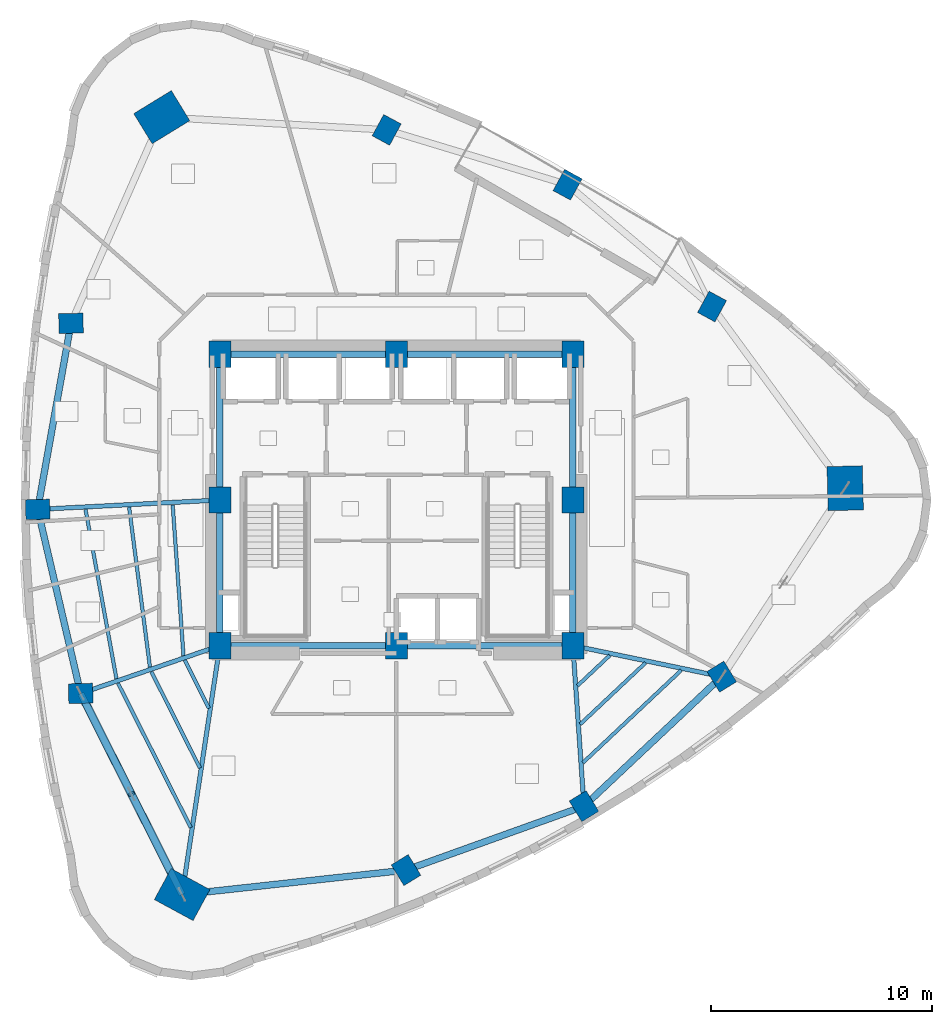
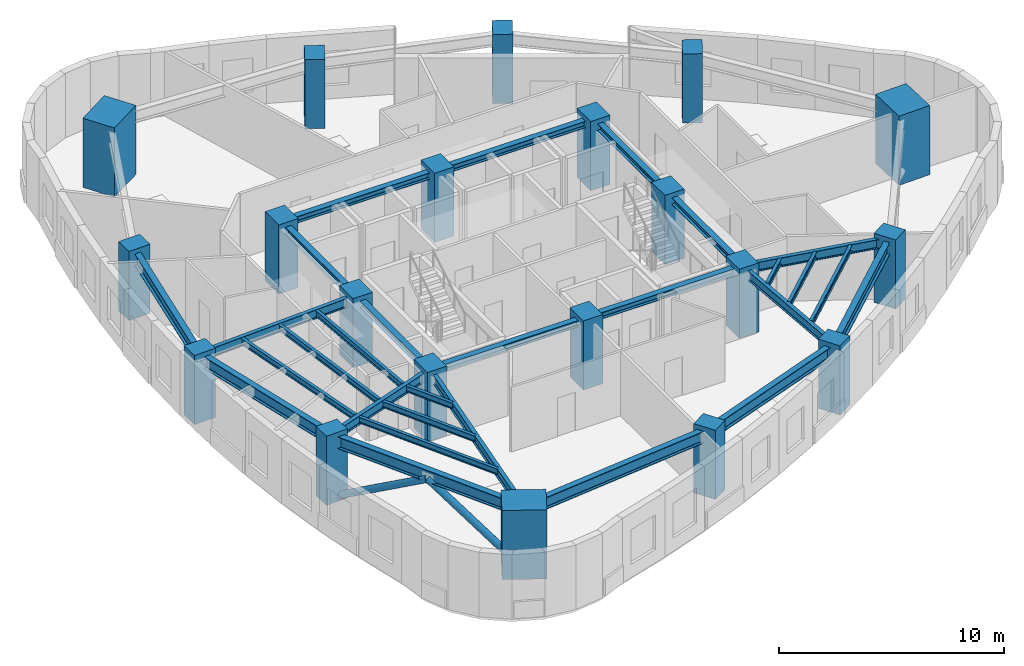
# One storey, part 1 of 14: 28 beams, 20 columns, 2 members.
"""IFC4 building model written with IfcOpenShell, lengths in metres."""

from ifc_helpers import new_model, si_unit, direction, frame, origin, origin_2d, place, context, subcontext, project, spatial, rectangle, hollow_circle, i_section, extrude, material, material_profile, profile_set, type_object, element, save


model = new_model("IFC4")

# Units and contexts
model_context = context("Model", 3, precision=1e-05, world=origin(), true_north=direction((0.0, 1.0)))
body_context = subcontext(model_context, "Body", "Model", "MODEL_VIEW")
ifc_project = project(units=[si_unit("LENGTHUNIT", "METRE"), si_unit("AREAUNIT", "SQUARE_METRE"), si_unit("VOLUMEUNIT", "CUBIC_METRE"), si_unit("PLANEANGLEUNIT", "RADIAN"), si_unit("MASSUNIT", "GRAM", prefix="KILO")], contexts=[model_context])

# Site, building, storey
site_placement = place(None, origin())
site = spatial("IfcSite", under=ifc_project, at=site_placement, CompositionType="ELEMENT")
building_placement = place(site_placement, origin())
building = spatial("IfcBuilding", under=site, at=building_placement, Name="Ndelora Gate Hotel", CompositionType="ELEMENT")
storey_placement = place(building_placement, frame((0.0, 0.0, 127.25)))
storey = spatial("IfcBuildingStorey", under=building, at=storey_placement, Name="L31", CompositionType="ELEMENT", Elevation=127.25)

# Columns
ifc_material_1 = material(Name="Concrete C60/75", Category="concrete")
ifc_material_profile_1 = material_profile(ifc_material_1, rectangle(XDim=1.0, YDim=1.199951171875, at=origin_2d()), Name="RC 1200x1000")
ifc_profile_set_1 = profile_set([ifc_material_profile_1], Name="Concrete C60/75")
column_type_1 = type_object("IfcColumnType", Name="COL-CC-MID", PredefinedType="COLUMN", material=ifc_profile_set_1)
for number, where, z_axis, x_axis, name in (
    (1, (-8.0, -6.60009765625, 0.0), (0.0, 0.0, 1.0), (1.0, 0.0, 0.0), "L31 Core Column CC1"),
    (2, (0.0, -6.60009765625, 0.0), (0.0, 0.0, 1.0), (1.0, 0.0, 0.0), "L31 Core Column CC2"),
    (3, (8.0, -6.60009765625, 0.0), (0.0, 0.0, 1.0), (1.0, 0.0, 0.0), "L31 Core Column CC3"),
    (4, (8.0, 0.0, 0.0), (0.0, 0.0, 1.0), (1.0, 0.0, 0.0), "L31 Core Column CC4"),
    (5, (8.0, 6.60009765625, 0.0), (0.0, 0.0, 1.0), (1.0, 0.0, 0.0), "L31 Core Column CC5"),
    (6, (0.0, 6.60009765625, 0.0), (0.0, 0.0, 1.0), (1.0, 0.0, 0.0), "L31 Core Column CC6"),
    (7, (-8.0, 6.60009765625, 0.0), (0.0, 0.0, 1.0), (1.0, 0.0, 0.0), "L31 Core Column CC7"),
    (8, (-8.0, 0.0, 0.0), (0.0, 0.0, 1.0), (1.0, 0.0, 0.0), "L31 Core Column CC8"),
):
    element("IfcColumn", number, at=place(storey_placement, frame(where, z_axis=z_axis, x_axis=x_axis)), inside=storey, type_object=column_type_1, Name=name, PredefinedType="COLUMN", context=body_context, shape_type="SweptSolid", body=[
        extrude(rectangle(XDim=1.0, YDim=1.199951171875, at=origin_2d()), origin(), (0.0, 0.0, 1.0), 3.75),
    ])
ifc_material_profile_2 = material_profile(ifc_material_1, rectangle(XDim=1.60009765625, YDim=2.0, at=origin_2d()), Name="RC 2000x1600")
ifc_profile_set_2 = profile_set([ifc_material_profile_2], Name="Concrete C60/75")
column_type_2 = type_object("IfcColumnType", Name="COL-MC-Z2", PredefinedType="COLUMN", material=ifc_profile_set_2)
for number, where, z_axis, x_axis, name in (
    (9, (-10.63330078125, 17.351806640625, 0.0), (0.0, 0.0, 1.0), (-0.522498564716, 0.852640164354, 0.0), "L31 Corner Mega-Column R1"),
    (10, (-9.71044921875, -17.884521484375, 0.0), (0.0, 0.0, 1.0), (0.47715876026, 0.878817112662, 0.0), "L31 Corner Mega-Column R5"),
    (11, (20.34375, 0.53271484375, 0.0), (0.0, 0.0, 1.0), (0.999657324976, 0.026176948308, 0.0), "L31 Corner Mega-Column R9"),
):
    element("IfcColumn", number, at=place(storey_placement, frame(where, z_axis=z_axis, x_axis=x_axis)), inside=storey, type_object=column_type_2, Name=name, PredefinedType="COLUMN", context=body_context, shape_type="SweptSolid", body=[
        extrude(rectangle(XDim=1.60009765625, YDim=2.0, at=origin_2d()), origin(), (0.0, 0.0, 1.0), 3.75),
    ])
ifc_material_profile_3 = material_profile(ifc_material_1, rectangle(XDim=0.89990234375, YDim=1.10009765625, at=origin_2d()), Name="RC 1100x900")
ifc_profile_set_3 = profile_set([ifc_material_profile_3], Name="Concrete C60/75")
column_type_3 = type_object("IfcColumnType", Name="COL-PT-Z2", PredefinedType="COLUMN", material=ifc_profile_set_3)
for number, where, z_axis, x_axis, name in (
    (12, (-14.74658203125, 8.006591796875, 0.0), (0.0, 0.0, 1.0), (-0.026176948308, 0.999657324976, 0.0), "L31 Perimeter Tube Column R2"),
    (13, (-16.25537109375, -0.42578125, 0.0), (0.0, 0.0, 1.0), (-0.026176948308, 0.999657324976, 0.0), "L31 Perimeter Tube Column R3"),
    (14, (-14.307373046875, -8.767578125, 0.0), (0.0, 0.0, 1.0), (-0.026176948308, 0.999657324976, 0.0), "L31 Perimeter Tube Column R4"),
    (15, (0.439208984375, -16.7744140625, 0.0), (0.0, 0.0, 1.0), (0.852640164354, 0.522498564716, 0.0), "L31 Perimeter Tube Column R6"),
    (16, (8.50439453125, -13.878173828125, 0.0), (0.0, 0.0, 1.0), (0.852640164354, 0.522498564716, 0.0), "L31 Perimeter Tube Column R7"),
    (17, (14.74658203125, -8.006591796875, 0.0), (0.0, 0.0, 1.0), (0.852640164354, 0.522498564716, 0.0), "L31 Perimeter Tube Column R8"),
    (18, (14.30712890625, 8.767333984375, 0.0), (0.0, 0.0, 1.0), (-0.878817112662, 0.47715876026, 0.0), "L31 Perimeter Tube Column R10"),
    (19, (7.759033203125, 14.290283203125, 0.0), (0.0, 0.0, 1.0), (-0.878817112662, 0.47715876026, 0.0), "L31 Perimeter Tube Column R11"),
    (20, (-0.439208984375, 16.7744140625, 0.0), (0.0, 0.0, 1.0), (-0.878817112662, 0.47715876026, 0.0), "L31 Perimeter Tube Column R12"),
):
    element("IfcColumn", number, at=place(storey_placement, frame(where, z_axis=z_axis, x_axis=x_axis)), inside=storey, type_object=column_type_3, Name=name, PredefinedType="COLUMN", context=body_context, shape_type="SweptSolid", body=[
        extrude(rectangle(XDim=0.89990234375, YDim=1.10009765625, at=origin_2d()), origin(), (0.0, 0.0, 1.0), 3.75),
    ])

# Beams
ifc_material_2 = material(Name="Steel S355", Category="steel")
ifc_material_profile_4 = material_profile(ifc_material_2, i_section(OverallWidth=0.300048828125, OverallDepth=0.360107421875, WebThickness=0.012451171875, FlangeThickness=0.0224609375, FilletRadius=0.027099609375, at=origin_2d()), Name="HEB 360")
ifc_profile_set_4 = profile_set([ifc_material_profile_4], Name="Steel S355")
beam_type_1 = type_object("IfcBeamType", Name="BM-CORE-360", PredefinedType="BEAM", material=ifc_profile_set_4)
for number, where, z_axis, x_axis, name in (
    (21, (-8.0, 6.60009765625, 3.320068359375), (1.0, 0.0, 0.0), (0.0, 1.0, 0.0), "L31 Core Tie Girder CC7-CC6"),
    (22, (0.0, 6.60009765625, 3.320068359375), (1.0, 0.0, 0.0), (0.0, 1.0, 0.0), "L31 Core Tie Girder CC6-CC5"),
):
    element("IfcBeam", number, at=place(storey_placement, frame(where, z_axis=z_axis, x_axis=x_axis)), inside=storey, type_object=beam_type_1, Name=name, PredefinedType="BEAM", context=body_context, shape_type="SweptSolid", body=[
        extrude(i_section(OverallWidth=0.300048828125, OverallDepth=0.360107421875, WebThickness=0.012451171875, FlangeThickness=0.0224609375, FilletRadius=0.027099609375, at=origin_2d()), origin(), (0.0, 0.0, 1.0), 8.0),
    ])
for number, where, z_axis, x_axis, name in (
    (23, (-8.0, -6.60009765625, 3.320068359375), (0.0, 1.0, 0.0), (-1.0, 0.0, 0.0), "L31 Core Tie Girder CC1-CC8"),
    (24, (-8.0, 0.0, 3.320068359375), (0.0, 1.0, 0.0), (-1.0, 0.0, 0.0), "L31 Core Tie Girder CC8-CC7"),
    (25, (8.0, -6.60009765625, 3.320068359375), (0.0, 1.0, 0.0), (-1.0, 0.0, 0.0), "L31 Core Tie Girder CC3-CC4"),
    (26, (8.0, 0.0, 3.320068359375), (0.0, 1.0, 0.0), (-1.0, 0.0, 0.0), "L31 Core Tie Girder CC4-CC5"),
):
    element("IfcBeam", number, at=place(storey_placement, frame(where, z_axis=z_axis, x_axis=x_axis)), inside=storey, type_object=beam_type_1, Name=name, PredefinedType="BEAM", context=body_context, shape_type="SweptSolid", body=[
        extrude(i_section(OverallWidth=0.300048828125, OverallDepth=0.360107421875, WebThickness=0.012451171875, FlangeThickness=0.0224609375, FilletRadius=0.027099609375, at=origin_2d()), origin(), (0.0, 0.0, 1.0), 6.60009765625),
    ])
for number, where, z_axis, x_axis, name in (
    (27, (-8.0, -6.60009765625, 3.320068359375), (1.0, 0.0, 0.0), (0.0, 1.0, 0.0), "L31 Core Tie Girder CC1-CC2"),
    (28, (0.0, -6.60009765625, 3.320068359375), (1.0, 0.0, 0.0), (0.0, 1.0, 0.0), "L31 Core Tie Girder CC2-CC3"),
):
    element("IfcBeam", number, at=place(storey_placement, frame(where, z_axis=z_axis, x_axis=x_axis)), inside=storey, type_object=beam_type_1, Name=name, PredefinedType="BEAM", context=body_context, shape_type="SweptSolid", body=[
        extrude(i_section(OverallWidth=0.300048828125, OverallDepth=0.360107421875, WebThickness=0.012451171875, FlangeThickness=0.0224609375, FilletRadius=0.027099609375, at=origin_2d()), origin(), (0.0, 0.0, 1.0), 8.0),
    ])
ifc_material_profile_5 = material_profile(ifc_material_2, i_section(OverallWidth=0.159912109375, OverallDepth=0.330078125, WebThickness=0.007568359375, FlangeThickness=0.011474609375, FilletRadius=0.01806640625, at=origin_2d()), Name="IPE 330")
ifc_profile_set_5 = profile_set([ifc_material_profile_5], Name="Steel S355")
beam_type_2 = type_object("IfcBeamType", Name="BM-JST-330", PredefinedType="JOIST", material=ifc_profile_set_5)
beam_1_placement = place(storey_placement, frame((-10.138427734375, -0.220458984375, 3.3349609375), z_axis=(0.07162945927, -0.997431311201, 0.0), x_axis=(0.997431311201, 0.07162945927, 0.0)))
element("IfcBeam", 29, at=beam_1_placement, inside=storey, type_object=beam_type_2, Name="L31 Secondary Composite Floor Joist IN-3", PredefinedType="JOIST", context=body_context, shape_type="SweptSolid", body=[
    extrude(i_section(OverallWidth=0.159912109375, OverallDepth=0.330078125, WebThickness=0.007568359375, FlangeThickness=0.011474609375, FilletRadius=0.01806640625, at=origin_2d()), origin(), (0.0, 0.0, 1.0), 6.850830078125),
])
beam_2_placement = place(storey_placement, frame((-12.113525390625, -0.322021484375, 3.3349609375), z_axis=(0.12927924943, -0.991608226906, 0.0), x_axis=(0.991608226906, 0.12927924943, 0.0)))
element("IfcBeam", 30, at=beam_2_placement, inside=storey, type_object=beam_type_2, Name="L31 Secondary Composite Floor Joist MID-3", PredefinedType="JOIST", context=body_context, shape_type="SweptSolid", body=[
    extrude(i_section(OverallWidth=0.159912109375, OverallDepth=0.330078125, WebThickness=0.007568359375, FlangeThickness=0.011474609375, FilletRadius=0.01806640625, at=origin_2d()), origin(), (0.0, 0.0, 1.0), 7.31396484375),
])
beam_3_placement = place(storey_placement, frame((-14.089111328125, -0.423095703125, 3.3349609375), z_axis=(0.179733770179, -0.983715290039, 0.0), x_axis=(0.983715290039, 0.179733770179, 0.0)))
element("IfcBeam", 31, at=beam_3_placement, inside=storey, type_object=beam_type_2, Name="L31 Secondary Composite Floor Joist OUT-3", PredefinedType="JOIST", context=body_context, shape_type="SweptSolid", body=[
    extrude(i_section(OverallWidth=0.159912109375, OverallDepth=0.330078125, WebThickness=0.007568359375, FlangeThickness=0.011474609375, FilletRadius=0.01806640625, at=origin_2d()), origin(), (0.0, 0.0, 1.0), 7.799560546875),
])
beam_4_placement = place(storey_placement, frame((-9.59033203125, -7.26171875, 3.3349609375), z_axis=(0.450139260243, -0.892958367668, 0.0), x_axis=(0.892958367668, 0.450139260243, 0.0)))
element("IfcBeam", 32, at=beam_4_placement, inside=storey, type_object=beam_type_2, Name="L31 Secondary Composite Floor Joist IN-4", PredefinedType="JOIST", context=body_context, shape_type="SweptSolid", body=[
    extrude(i_section(OverallWidth=0.159912109375, OverallDepth=0.330078125, WebThickness=0.007568359375, FlangeThickness=0.011474609375, FilletRadius=0.01806640625, at=origin_2d()), origin(), (0.0, 0.0, 1.0), 2.4345703125),
])
beam_5_placement = place(storey_placement, frame((-11.10400390625, -7.781982421875, 3.3349609375), z_axis=(0.450189724408, -0.892932926953, 0.0), x_axis=(0.892932926953, 0.450189724408, 0.0)))
element("IfcBeam", 33, at=beam_5_placement, inside=storey, type_object=beam_type_2, Name="L31 Secondary Composite Floor Joist MID-4", PredefinedType="JOIST", context=body_context, shape_type="SweptSolid", body=[
    extrude(i_section(OverallWidth=0.159912109375, OverallDepth=0.330078125, WebThickness=0.007568359375, FlangeThickness=0.011474609375, FilletRadius=0.01806640625, at=origin_2d()), origin(), (0.0, 0.0, 1.0), 4.885009765625),
])
beam_6_placement = place(storey_placement, frame((-12.617919921875, -8.30224609375, 3.3349609375), z_axis=(0.45023300903, -0.892911102843, 0.0), x_axis=(0.892911102843, 0.45023300903, 0.0)))
element("IfcBeam", 34, at=beam_6_placement, inside=storey, type_object=beam_type_2, Name="L31 Secondary Composite Floor Joist OUT-4", PredefinedType="JOIST", context=body_context, shape_type="SweptSolid", body=[
    extrude(i_section(OverallWidth=0.159912109375, OverallDepth=0.330078125, WebThickness=0.007568359375, FlangeThickness=0.011474609375, FilletRadius=0.01806640625, at=origin_2d()), origin(), (0.0, 0.0, 1.0), 7.335693359375),
])
beam_7_placement = place(storey_placement, frame((8.211181640625, -8.4169921875, 3.3349609375), z_axis=(0.728414088998, 0.685137150466, 0.0), x_axis=(-0.685137150466, 0.728414088998, 0.0)))
element("IfcBeam", 35, at=beam_7_placement, inside=storey, type_object=beam_type_2, Name="L31 Secondary Composite Floor Joist IN-7", PredefinedType="JOIST", context=body_context, shape_type="SweptSolid", body=[
    extrude(i_section(OverallWidth=0.159912109375, OverallDepth=0.330078125, WebThickness=0.007568359375, FlangeThickness=0.011474609375, FilletRadius=0.01806640625, at=origin_2d()), origin(), (0.0, 0.0, 1.0), 2.00830078125),
])
beam_8_placement = place(storey_placement, frame((8.33251953125, -10.163818359375, 3.3349609375), z_axis=(0.728369245526, 0.685184823366, 0.0), x_axis=(-0.685184823366, 0.728369245526, 0.0)))
element("IfcBeam", 36, at=beam_8_placement, inside=storey, type_object=beam_type_2, Name="L31 Secondary Composite Floor Joist MID-7", PredefinedType="JOIST", context=body_context, shape_type="SweptSolid", body=[
    extrude(i_section(OverallWidth=0.159912109375, OverallDepth=0.330078125, WebThickness=0.007568359375, FlangeThickness=0.011474609375, FilletRadius=0.01806640625, at=origin_2d()), origin(), (0.0, 0.0, 1.0), 4.06494140625),
])
beam_9_placement = place(storey_placement, frame((8.45361328125, -11.910400390625, 3.3349609375), z_axis=(0.728393161111, 0.68515939959, 0.0), x_axis=(-0.68515939959, 0.728393161111, 0.0)))
element("IfcBeam", 37, at=beam_9_placement, inside=storey, type_object=beam_type_2, Name="L31 Secondary Composite Floor Joist OUT-7", PredefinedType="JOIST", context=body_context, shape_type="SweptSolid", body=[
    extrude(i_section(OverallWidth=0.159912109375, OverallDepth=0.330078125, WebThickness=0.007568359375, FlangeThickness=0.011474609375, FilletRadius=0.01806640625, at=origin_2d()), origin(), (0.0, 0.0, 1.0), 6.121337890625),
])
ifc_material_profile_6 = material_profile(ifc_material_2, i_section(OverallWidth=0.199951171875, OverallDepth=0.5, WebThickness=0.01025390625, FlangeThickness=0.01611328125, FilletRadius=0.02099609375, at=origin_2d()), Name="IPE 500")
ifc_profile_set_6 = profile_set([ifc_material_profile_6], Name="Steel S355")
beam_type_3 = type_object("IfcBeamType", Name="BM-RAD-500", PredefinedType="BEAM", material=ifc_profile_set_6)
beam_10_placement = place(storey_placement, frame((-8.0, 0.0, 3.25), z_axis=(-0.998672591881, -0.051507807424, 0.0), x_axis=(0.051507807424, -0.998672591881, 0.0)))
element("IfcBeam", 38, at=beam_10_placement, inside=storey, type_object=beam_type_3, Name="L31 Radial Floor Girder 3", PredefinedType="BEAM", context=body_context, shape_type="SweptSolid", body=[
    extrude(i_section(OverallWidth=0.199951171875, OverallDepth=0.5, WebThickness=0.01025390625, FlangeThickness=0.01611328125, FilletRadius=0.02099609375, at=origin_2d()), origin(), (0.0, 0.0, 1.0), 8.266357421875),
])
beam_11_placement = place(storey_placement, frame((-8.0, -6.60009765625, 3.25), z_axis=(-0.945717893913, -0.324988715392, 0.0), x_axis=(0.324988715392, -0.945717893913, 0.0)))
element("IfcBeam", 39, at=beam_11_placement, inside=storey, type_object=beam_type_3, Name="L31 Radial Floor Girder 4", PredefinedType="BEAM", context=body_context, shape_type="SweptSolid", body=[
    extrude(i_section(OverallWidth=0.199951171875, OverallDepth=0.5, WebThickness=0.01025390625, FlangeThickness=0.01611328125, FilletRadius=0.02099609375, at=origin_2d()), origin(), (0.0, 0.0, 1.0), 6.66943359375),
])
beam_12_placement = place(storey_placement, frame((-8.0, -6.60009765625, 3.25), z_axis=(-0.149864309615, -0.988706573612, 0.0), x_axis=(0.988706573612, -0.149864309615, 0.0)))
element("IfcBeam", 40, at=beam_12_placement, inside=storey, type_object=beam_type_3, Name="L31 Radial Floor Girder 5", PredefinedType="BEAM", context=body_context, shape_type="SweptSolid", body=[
    extrude(i_section(OverallWidth=0.199951171875, OverallDepth=0.5, WebThickness=0.01025390625, FlangeThickness=0.01611328125, FilletRadius=0.02099609375, at=origin_2d()), origin(), (0.0, 0.0, 1.0), 11.413330078125),
])
beam_13_placement = place(storey_placement, frame((8.0, -6.60009765625, 3.25), z_axis=(0.069137444551, -0.997607144001, 0.0), x_axis=(0.997607144001, 0.069137444551, 0.0)))
element("IfcBeam", 41, at=beam_13_placement, inside=storey, type_object=beam_type_3, Name="L31 Radial Floor Girder 7", PredefinedType="BEAM", context=body_context, shape_type="SweptSolid", body=[
    extrude(i_section(OverallWidth=0.199951171875, OverallDepth=0.5, WebThickness=0.01025390625, FlangeThickness=0.01611328125, FilletRadius=0.02099609375, at=origin_2d()), origin(), (0.0, 0.0, 1.0), 7.295654296875),
])
beam_14_placement = place(storey_placement, frame((8.0, -6.60009765625, 3.25), z_axis=(0.978952706778, -0.204087231083, 0.0), x_axis=(0.204087231083, 0.978952706778, 0.0)))
element("IfcBeam", 42, at=beam_14_placement, inside=storey, type_object=beam_type_3, Name="L31 Radial Floor Girder 8", PredefinedType="BEAM", context=body_context, shape_type="SweptSolid", body=[
    extrude(i_section(OverallWidth=0.199951171875, OverallDepth=0.5, WebThickness=0.01025390625, FlangeThickness=0.01611328125, FilletRadius=0.02099609375, at=origin_2d()), origin(), (0.0, 0.0, 1.0), 6.8916015625),
])
ifc_material_profile_7 = material_profile(ifc_material_2, i_section(OverallWidth=0.300048828125, OverallDepth=0.64990234375, WebThickness=0.01611328125, FlangeThickness=0.031005859375, FilletRadius=0.027099609375, at=origin_2d()), Name="HEB 650")
ifc_profile_set_7 = profile_set([ifc_material_profile_7], Name="Steel S355")
beam_type_4 = type_object("IfcBeamType", Name="BM-RING-650", PredefinedType="SPANDREL", material=ifc_profile_set_7)
beam_15_placement = place(storey_placement, frame((-14.74658203125, 8.006591796875, 3.175048828125), z_axis=(-0.176130938817, -0.984366746894, 0.0), x_axis=(0.984366746894, -0.176130938817, 0.0)))
element("IfcBeam", 43, at=beam_15_placement, inside=storey, type_object=beam_type_4, Name="L31 Perimeter Spandrel Girder 2", PredefinedType="SPANDREL", context=body_context, shape_type="SweptSolid", body=[
    extrude(i_section(OverallWidth=0.300048828125, OverallDepth=0.64990234375, WebThickness=0.01611328125, FlangeThickness=0.031005859375, FilletRadius=0.027099609375, at=origin_2d()), origin(), (0.0, 0.0, 1.0), 8.56640625),
])
beam_16_placement = place(storey_placement, frame((-16.25537109375, -0.42578125, 3.175048828125), z_axis=(0.227404398157, -0.973800410607, 0.0), x_axis=(0.973800410607, 0.227404398157, 0.0)))
element("IfcBeam", 44, at=beam_16_placement, inside=storey, type_object=beam_type_4, Name="L31 Perimeter Spandrel Girder 3", PredefinedType="SPANDREL", context=body_context, shape_type="SweptSolid", body=[
    extrude(i_section(OverallWidth=0.300048828125, OverallDepth=0.64990234375, WebThickness=0.01611328125, FlangeThickness=0.031005859375, FilletRadius=0.027099609375, at=origin_2d()), origin(), (0.0, 0.0, 1.0), 8.566162109375),
])
for number, where, z_axis, x_axis, name in (
    (45, (-14.307373046875, -8.767578125, 3.175048828125), (0.450223868811, -0.892915711561, 0.0), (0.892915711561, 0.450223868811, 0.0), "L31 Perimeter Spandrel Girder 4"),
    (46, (-9.71044921875, -17.884521484375, 3.175048828125), (0.994071812898, 0.108725483685, 0.0), (-0.108725483685, 0.994071812898, 0.0), "L31 Perimeter Spandrel Girder 5"),
):
    element("IfcBeam", number, at=place(storey_placement, frame(where, z_axis=z_axis, x_axis=x_axis)), inside=storey, type_object=beam_type_4, Name=name, PredefinedType="SPANDREL", context=body_context, shape_type="SweptSolid", body=[
        extrude(i_section(OverallWidth=0.300048828125, OverallDepth=0.64990234375, WebThickness=0.01611328125, FlangeThickness=0.031005859375, FilletRadius=0.027099609375, at=origin_2d()), origin(), (0.0, 0.0, 1.0), 10.210205078125),
    ])
beam_17_placement = place(storey_placement, frame((0.439208984375, -16.7744140625, 3.175048828125), z_axis=(0.941155870835, 0.337972819607, 0.0), x_axis=(-0.337972819607, 0.941155870835, 0.0)))
element("IfcBeam", 47, at=beam_17_placement, inside=storey, type_object=beam_type_4, Name="L31 Perimeter Spandrel Girder 6", PredefinedType="SPANDREL", context=body_context, shape_type="SweptSolid", body=[
    extrude(i_section(OverallWidth=0.300048828125, OverallDepth=0.64990234375, WebThickness=0.01611328125, FlangeThickness=0.031005859375, FilletRadius=0.027099609375, at=origin_2d()), origin(), (0.0, 0.0, 1.0), 8.5693359375),
])
beam_18_placement = place(storey_placement, frame((8.50439453125, -13.878173828125, 3.175048828125), z_axis=(0.728399016952, 0.68515317419, 0.0), x_axis=(-0.68515317419, 0.728399016952, 0.0)))
element("IfcBeam", 48, at=beam_18_placement, inside=storey, type_object=beam_type_4, Name="L31 Perimeter Spandrel Girder 7", PredefinedType="SPANDREL", context=body_context, shape_type="SweptSolid", body=[
    extrude(i_section(OverallWidth=0.300048828125, OverallDepth=0.64990234375, WebThickness=0.01611328125, FlangeThickness=0.031005859375, FilletRadius=0.027099609375, at=origin_2d()), origin(), (0.0, 0.0, 1.0), 8.56982421875),
])

# Members
ifc_material_profile_8 = material_profile(ifc_material_2, hollow_circle(Radius=0.177978515625, WallThickness=0.01611328125, at=origin_2d()), Name="CHS 356x16")
ifc_profile_set_8 = profile_set([ifc_material_profile_8], Name="Steel S355")
member_type = type_object("IfcMemberType", Name="MB-TUBE-356", PredefinedType="BRACE", material=ifc_profile_set_8)
for number, where, z_axis, x_axis, name in (
    (49, (-14.307373046875, -8.767578125, 0.02001953125), (0.390508461166, -0.774422037007, 0.497768671529), (0.892901251526, 0.450252545826, 0.0), "L31 Perimeter Braced-Tube Diagonal 4A"),
    (50, (-9.71044921875, -17.884521484375, 0.02001953125), (-0.390460765703, 0.774451180922, 0.49776074455), (-0.89293017037, -0.450195191938, 0.0), "L31 Perimeter Braced-Tube Diagonal 4B"),
):
    element("IfcMember", number, at=place(storey_placement, frame(where, z_axis=z_axis, x_axis=x_axis)), inside=storey, type_object=member_type, Name=name, PredefinedType="BRACE", context=body_context, shape_type="SweptSolid", body=[
        extrude(hollow_circle(Radius=0.177978515625, WallThickness=0.01611328125, at=origin_2d()), origin(), (0.0, 0.0, 1.0), 5.88623046875),
    ])

save(model, "model.ifc")
